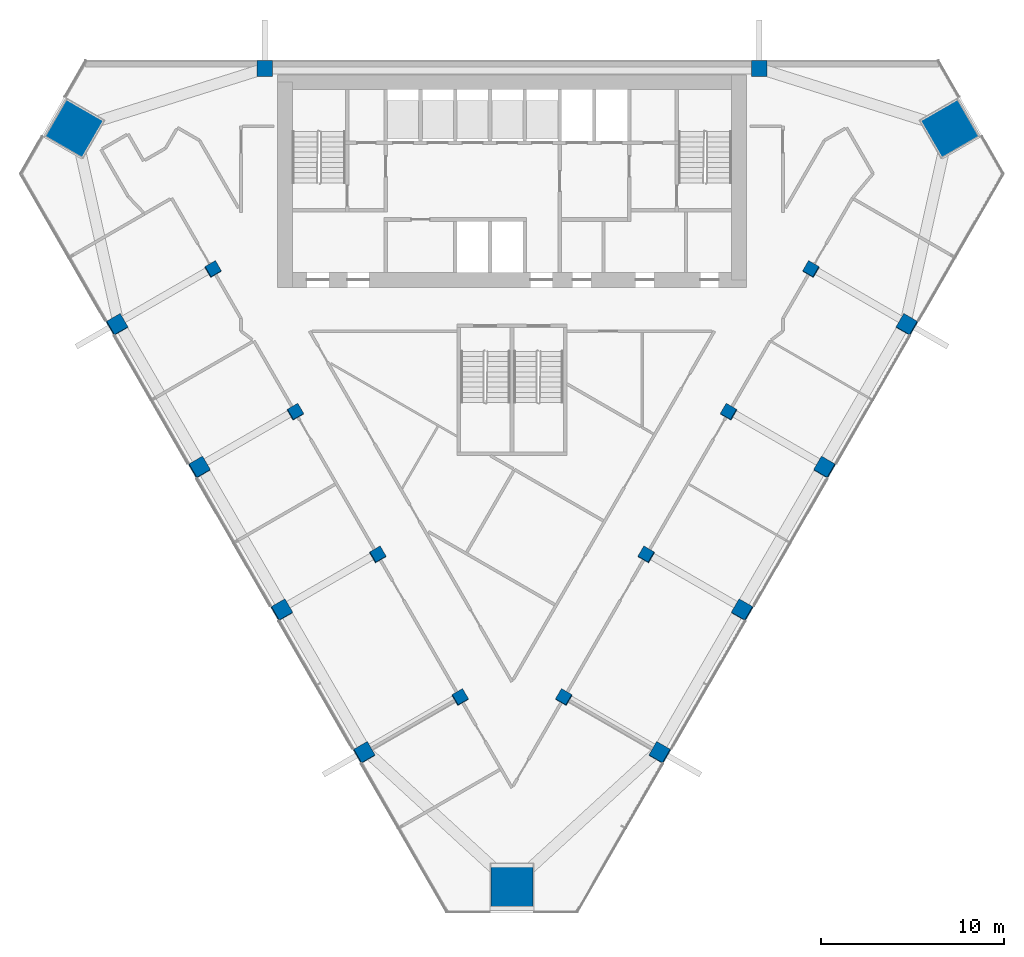
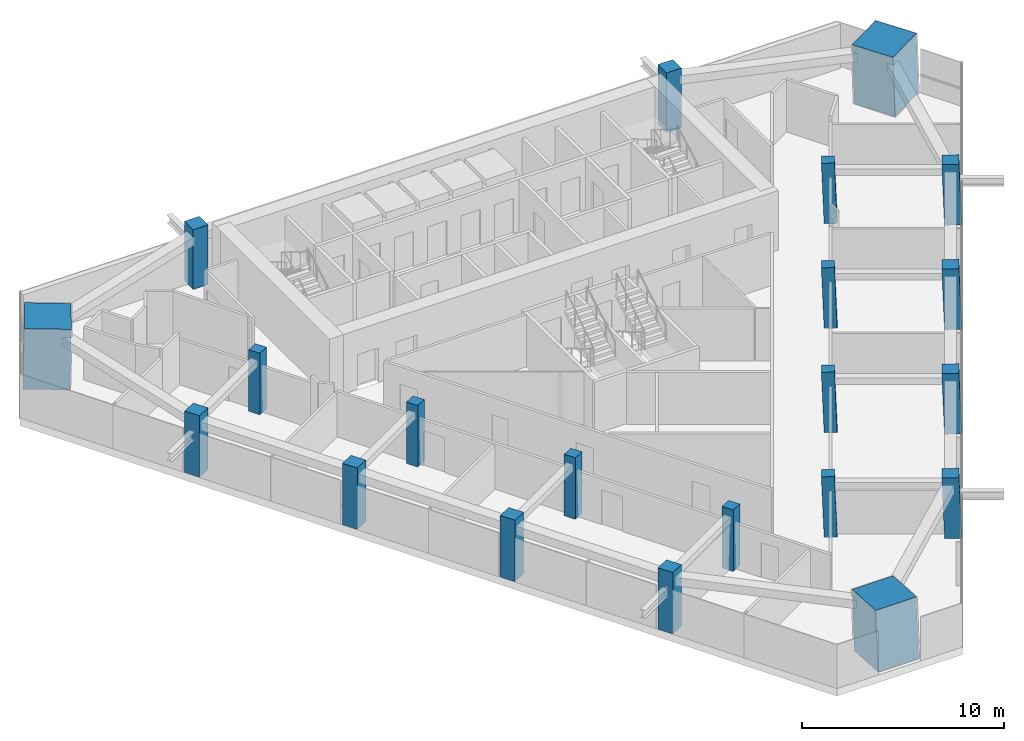
# One storey, part 1 of 13: 21 columns.
"""IFC4 building model written with IfcOpenShell, lengths in metres."""

from ifc_helpers import new_model, si_unit, direction, frame, origin, origin_2d, place, context, subcontext, project, spatial, rectangle, extrude, material, material_profile, profile_set, type_object, element, save


model = new_model("IFC4")

# Units and contexts
model_context = context("Model", 3, precision=1e-05, world=origin(), true_north=direction((0.0, 1.0)))
body_context = subcontext(model_context, "Body", "Model", "MODEL_VIEW")
ifc_project = project(units=[si_unit("LENGTHUNIT", "METRE"), si_unit("AREAUNIT", "SQUARE_METRE"), si_unit("VOLUMEUNIT", "CUBIC_METRE"), si_unit("PLANEANGLEUNIT", "RADIAN"), si_unit("MASSUNIT", "GRAM", prefix="KILO")], contexts=[model_context])

# Site, building, storey
site_placement = place(None, origin())
site = spatial("IfcSite", under=ifc_project, at=site_placement, CompositionType="ELEMENT")
building_placement = place(site_placement, origin())
building = spatial("IfcBuilding", under=site, at=building_placement, Name="Altiplano Prism Tower", CompositionType="ELEMENT")
storey_placement = place(building_placement, frame((0.0, 0.0, 160.199951171875)))
storey = spatial("IfcBuildingStorey", under=building, at=storey_placement, Name="L41", CompositionType="ELEMENT", Elevation=160.199951171875)

# Columns
ifc_material_1 = material(Name="Concrete C60/75", Category="concrete")
ifc_material_profile_1 = material_profile(ifc_material_1, rectangle(XDim=0.64990234375, YDim=0.64990234375, at=origin_2d()), Name="Inner column 650")
ifc_profile_set_1 = profile_set([ifc_material_profile_1], Name="Concrete C60/75")
column_type_1 = type_object("IfcColumnType", Name="Inner column 650", PredefinedType="COLUMN", material=ifc_profile_set_1)
for number, where, z_axis, x_axis, name in (
    (1, (68.65185546875, 93.56689453125, -0.019775390625), (0.02215369191, 0.038413282303, 0.999016333038), (-0.86536468805, -0.499669077686, 0.038402727522), "Inner column I11 L41"),
    (2, (73.15185546875, 85.7724609375, -0.019775390625), (0.022153634206, 0.038480930364, 0.999013730882), (-0.864982432441, -0.500326616032, 0.038453463537), "Inner column I12 L41"),
    (3, (77.65185546875, 77.978271484375, -0.019775390625), (0.022153634206, 0.038480930364, 0.999013730882), (-0.864982432441, -0.500326616032, 0.038453463537), "Inner column I13 L41"),
    (4, (82.15185546875, 70.18408203125, -0.019775390625), (0.022153634206, 0.038480930364, 0.999013730882), (-0.864982432441, -0.500326616032, 0.038453463537), "Inner column I14 L41"),
    (5, (87.84814453125, 70.18408203125, -0.019775390625), (-0.022153634206, 0.038480930364, 0.999013730882), (-0.501312884394, -0.864981210945, 0.022201275913), "Inner column I21 L41"),
    (6, (92.34814453125, 77.978271484375, -0.019775390625), (-0.022153634206, 0.038480930364, 0.999013730882), (-0.501312884394, -0.864981210945, 0.022201275913), "Inner column I22 L41"),
    (7, (96.84814453125, 85.7724609375, -0.019775390625), (-0.022153634206, 0.038480930364, 0.999013730882), (-0.501312884394, -0.864981210945, 0.022201275913), "Inner column I23 L41"),
    (8, (101.34814453125, 93.56689453125, -0.019775390625), (-0.02215369191, 0.038413282303, 0.999016333038), (-0.500652744536, -0.86536421959, 0.022171983253), "Inner column I24 L41"),
):
    element("IfcColumn", number, at=place(storey_placement, frame(where, z_axis=z_axis, x_axis=x_axis)), inside=storey, type_object=column_type_1, Name=name, PredefinedType="COLUMN", context=body_context, shape_type="SweptSolid", body=[
        extrude(rectangle(XDim=0.64990234375, YDim=0.64990234375, at=origin_2d()), origin(), (0.0, 0.0, 1.0), 3.603759765625),
    ])
ifc_material_2 = material(Name="Concrete C70/85", Category="concrete")
ifc_material_profile_2 = material_profile(ifc_material_2, rectangle(XDim=2.320068359375, YDim=2.320068359375, at=origin_2d()), Name="Mega column infill 2400")
ifc_profile_set_2 = profile_set([ifc_material_profile_2], Name="Concrete C70/85")
column_type_2 = type_object("IfcColumnType", Name="Mega column infill 2400", PredefinedType="COLUMN", material=ifc_profile_set_2)
column_1_placement = place(storey_placement, frame((61.0361328125, 101.2529296875, 0.0), z_axis=(0.028401796786, 0.009286506348, 0.999553449666), x_axis=(-0.866206321778, 0.499287135176, 0.019974102218)))
element("IfcColumn", 9, at=column_1_placement, inside=storey, type_object=column_type_2, Name="Mega column M0 L41", PredefinedType="COLUMN", context=body_context, shape_type="SweptSolid", body=[
    extrude(rectangle(XDim=2.320068359375, YDim=2.320068359375, at=origin_2d()), origin(), (0.0, 0.0, 1.0), 3.601806640625),
])
column_2_placement = place(storey_placement, frame((85.0, 59.746337890625, 0.0), z_axis=(0.0, 0.058356907999, 0.998295783467), x_axis=(-1.0, 0.0, 0.0)))
element("IfcColumn", 10, at=column_2_placement, inside=storey, type_object=column_type_2, Name="Mega column M1 L41", PredefinedType="COLUMN", context=body_context, shape_type="SweptSolid", body=[
    extrude(rectangle(XDim=2.320068359375, YDim=2.320068359375, at=origin_2d()), origin(), (0.0, 0.0, 1.0), 3.606201171875),
])
column_3_placement = place(storey_placement, frame((108.9638671875, 101.2529296875, 0.0), z_axis=(-0.028401796786, 0.009286506348, 0.999553449666), x_axis=(0.498881183205, -0.866385379601, 0.022224739778)))
element("IfcColumn", 11, at=column_3_placement, inside=storey, type_object=column_type_2, Name="Mega column M2 L41", PredefinedType="COLUMN", context=body_context, shape_type="SweptSolid", body=[
    extrude(rectangle(XDim=2.320068359375, YDim=2.320068359375, at=origin_2d()), origin(), (0.0, 0.0, 1.0), 3.601806640625),
])
ifc_material_profile_3 = material_profile(ifc_material_1, rectangle(XDim=0.85009765625, YDim=0.85009765625, at=origin_2d()), Name="Perimeter column 850")
ifc_profile_set_3 = profile_set([ifc_material_profile_3], Name="Concrete C60/75")
column_type_3 = type_object("IfcColumnType", Name="Perimeter column 850", PredefinedType="COLUMN", material=ifc_profile_set_3)
for number, where, z_axis, x_axis, name in (
    (12, (98.5, 104.550048828125, 0.0), (0.0, 0.0, 1.0), (1.0, 0.0, 0.0), "Perimeter column P01 L41"),
    (13, (71.5, 104.550048828125, 0.0), (0.0, 0.0, 1.0), (1.0, 0.0, 0.0), "Perimeter column P04 L41"),
):
    element("IfcColumn", number, at=place(storey_placement, frame(where, z_axis=z_axis, x_axis=x_axis)), inside=storey, type_object=column_type_3, Name=name, PredefinedType="COLUMN", context=body_context, shape_type="SweptSolid", body=[
        extrude(rectangle(XDim=0.85009765625, YDim=0.85009765625, at=origin_2d()), origin(), (0.0, 0.0, 1.0), 3.60009765625),
    ])
for number, where, z_axis, x_axis, name in (
    (14, (63.412109375, 90.54150390625, -0.025634765625), (0.022222852987, 0.038483477124, 0.999012095419), (-0.86564204957, -0.499182053359, 0.038485316959), "Perimeter column P11 L41"),
    (15, (67.912109375, 82.747314453125, -0.025634765625), (0.022222852987, 0.038483477124, 0.999012095419), (-0.86564204957, -0.499182053359, 0.038485316959), "Perimeter column P12 L41"),
    (16, (72.412109375, 74.953125, -0.025634765625), (0.022222910879, 0.038415824599, 0.999014697916), (-0.866024016249, -0.498523002016, 0.038434616444), "Perimeter column P13 L41"),
    (17, (76.912109375, 67.158935546875, -0.025634765625), (0.022222910879, 0.038415824599, 0.999014697916), (-0.866024016249, -0.498523002016, 0.038434616444), "Perimeter column P14 L41"),
    (18, (93.087890625, 67.158935546875, -0.025634765625), (-0.022222910879, 0.038415824599, 0.999014697916), (-0.499508303747, -0.866024850037, 0.022190394462), "Perimeter column P21 L41"),
    (19, (97.587890625, 74.953125, -0.025634765625), (-0.022222910879, 0.038415824599, 0.999014697916), (-0.499508303747, -0.866024850037, 0.022190394462), "Perimeter column P22 L41"),
    (20, (102.087890625, 82.747314453125, -0.025634765625), (-0.022222852987, 0.038483477124, 0.999012095419), (-0.500169957936, -0.865642131364, 0.022219666627), "Perimeter column P23 L41"),
    (21, (106.587890625, 90.54150390625, -0.025634765625), (-0.022222852987, 0.038483477124, 0.999012095419), (-0.500169957936, -0.865642131364, 0.022219666627), "Perimeter column P24 L41"),
):
    element("IfcColumn", number, at=place(storey_placement, frame(where, z_axis=z_axis, x_axis=x_axis)), inside=storey, type_object=column_type_3, Name=name, PredefinedType="COLUMN", context=body_context, shape_type="SweptSolid", body=[
        extrude(rectangle(XDim=0.85009765625, YDim=0.85009765625, at=origin_2d()), origin(), (0.0, 0.0, 1.0), 3.603515625),
    ])

save(model, "model.ifc")
